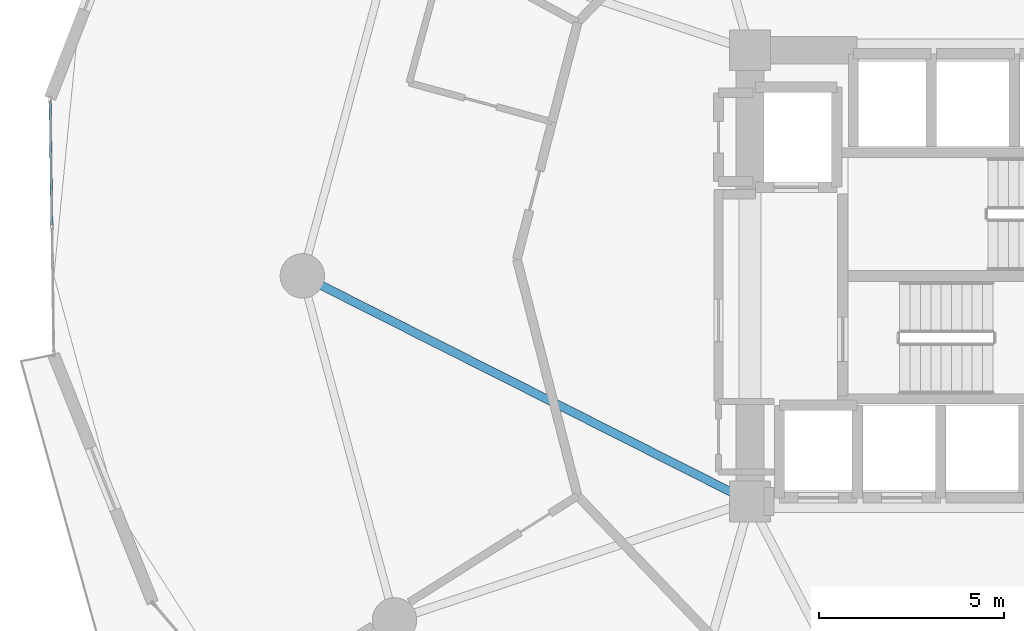
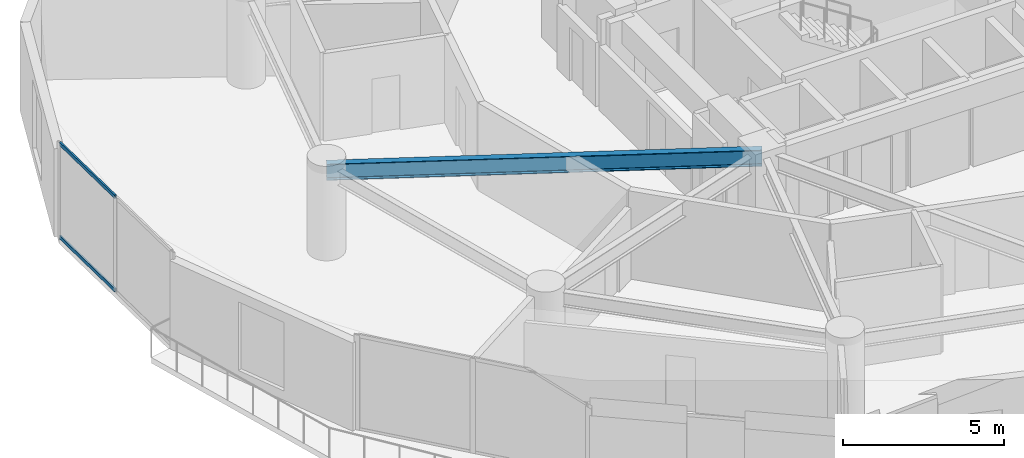
# One storey, part 5 of 23: 2 members, 1 beam, 1 element without a shape of its own.
"""IFC4 building model written with IfcOpenShell, lengths in metres."""

from ifc_helpers import new_model, si_unit, direction, frame, origin, origin_2d, place, context, subcontext, project, spatial, hollow_rectangle, i_section, extrude, source, transform, mapped, material, layer, layer_set, material_profile, profile_set, type_object, element, aggregate, save


model = new_model("IFC4")

# Units and contexts
model_context = context("Model", 3, precision=1e-05, world=origin(), true_north=direction((0.0, 1.0)))
body_context = subcontext(model_context, "Body", "Model", "MODEL_VIEW")
ifc_project = project(units=[si_unit("LENGTHUNIT", "METRE"), si_unit("AREAUNIT", "SQUARE_METRE"), si_unit("VOLUMEUNIT", "CUBIC_METRE"), si_unit("PLANEANGLEUNIT", "RADIAN"), si_unit("MASSUNIT", "GRAM", prefix="KILO")], contexts=[model_context])

# Site, building, storey
site_placement = place(None, origin())
site = spatial("IfcSite", under=ifc_project, at=site_placement, CompositionType="ELEMENT")
building_placement = place(site_placement, origin())
building = spatial("IfcBuilding", under=site, at=building_placement, Name="Solvirekh Grand Hotel", CompositionType="ELEMENT")
storey_placement = place(building_placement, frame((0.0, 0.0, 46.39990234375)))
storey = spatial("IfcBuildingStorey", under=building, at=storey_placement, Name="L10", CompositionType="ELEMENT", Elevation=46.39990234375)

# Beam
ifc_material_1 = material(Name="Steel S355", Category="steel")
ifc_material_profile_1 = material_profile(ifc_material_1, i_section(OverallWidth=0.22998046875, OverallDepth=0.615966796875, WebThickness=0.013916015625, FlangeThickness=0.02392578125, FilletRadius=0.014892578125, at=origin_2d()), Name="W610X174")
ifc_profile_set_1 = profile_set([ifc_material_profile_1], Name="Steel S355")
beam_type = type_object("IfcBeamType", Name="Beam_Primary_W610H", PredefinedType="BEAM", material=ifc_profile_set_1)
beam_placement = place(storey_placement, frame((-6.5, -6.10009765625, 3.031982421875), z_axis=(-0.892944939011, 0.450165898191, 0.0), x_axis=(-0.450165898191, -0.892944939011, 0.0)))
element("IfcBeam", 1, at=beam_placement, inside=storey, type_object=beam_type, Name="L10 radial floor beam R07", PredefinedType="BEAM", context=body_context, shape_type="SweptSolid", body=[
    extrude(i_section(OverallWidth=0.22998046875, OverallDepth=0.615966796875, WebThickness=0.013916015625, FlangeThickness=0.02392578125, FilletRadius=0.014892578125, at=origin_2d()), origin(), (0.0, 0.0, 1.0), 13.55078125),
])

# Curtain wall, members
ifc_material_2 = material(Name="Anodized Bronze Aluminium 6063-T6", Category="aluminium")
ifc_layer = layer(ifc_material_2, 0.18994140625)
ifc_layer_set = layer_set([ifc_layer], Name="Anodized Bronze Aluminium 6063-T6")
curtain_wall_type = type_object("IfcCurtainWallType", Name="CW_Sys2_LowZoneFlushBronzeCW", PredefinedType="NOTDEFINED", material=ifc_layer_set)
curtain_wall_placement = place(storey_placement, origin())
curtain_wall = element("IfcCurtainWall", 2, at=curtain_wall_placement, inside=storey, type_object=curtain_wall_type, Name="L10 unitised bronze-glass curtain wall CW-L10-C11", PredefinedType="NOTDEFINED")
ifc_material_profile_2 = material_profile(ifc_material_2, hollow_rectangle(XDim=0.06005859375, YDim=0.135009765625, WallThickness=0.00390625, at=origin_2d()), Name="ALU RHS 135X60X4")
ifc_profile_set_2 = profile_set([ifc_material_profile_2], Name="Anodized Bronze Aluminium 6063-T6")
member_type = type_object("IfcMemberType", Name="CWTransom_Sys2", PredefinedType="USERDEFINED", material=ifc_profile_set_2)
shared_shape = source(origin(), body_context, "Body", "SweptSolid", [
    extrude(hollow_rectangle(XDim=0.06005859375, YDim=0.135009765625, WallThickness=0.00390625, at=origin_2d()), origin(), (0.0, 0.0, 1.0), 3.357666015625),
])
member_1_placement = place(storey_placement, frame((-25.419189453125, 4.72998046875, 0.030029296875), z_axis=(0.013305977261, -0.999911471566, 0.0), x_axis=(0.999911471566, 0.013305977261, 0.0)))
member_1 = element("IfcMember", 3, at=member_1_placement, type_object=member_type, Name="U02 transom 1.1", ObjectType="TRANSOM", PredefinedType="USERDEFINED", context=body_context, shape_type="MappedRepresentation", body=[
    mapped(shared_shape, transform((0.0, 0.0, 0.0), x_axis=(1.0, 0.0, 0.0), y_axis=(0.0, 1.0, 0.0), z_axis=(0.0, 0.0, 1.0), scale=1.0)),
])
member_2_placement = place(storey_placement, frame((-25.419189453125, 4.72998046875, 3.570068359375), z_axis=(0.013305977261, -0.999911471566, 0.0), x_axis=(0.999911471566, 0.013305977261, 0.0)))
member_2 = element("IfcMember", 4, at=member_2_placement, type_object=member_type, Name="U02 transom 1.2", ObjectType="TRANSOM", PredefinedType="USERDEFINED", context=body_context, shape_type="MappedRepresentation", body=[
    mapped(shared_shape, transform((0.0, 0.0, 0.0), x_axis=(1.0, 0.0, 0.0), y_axis=(0.0, 1.0, 0.0), z_axis=(0.0, 0.0, 1.0), scale=1.0)),
])
aggregate(curtain_wall, [member_1, member_2])

save(model, "model.ifc")
